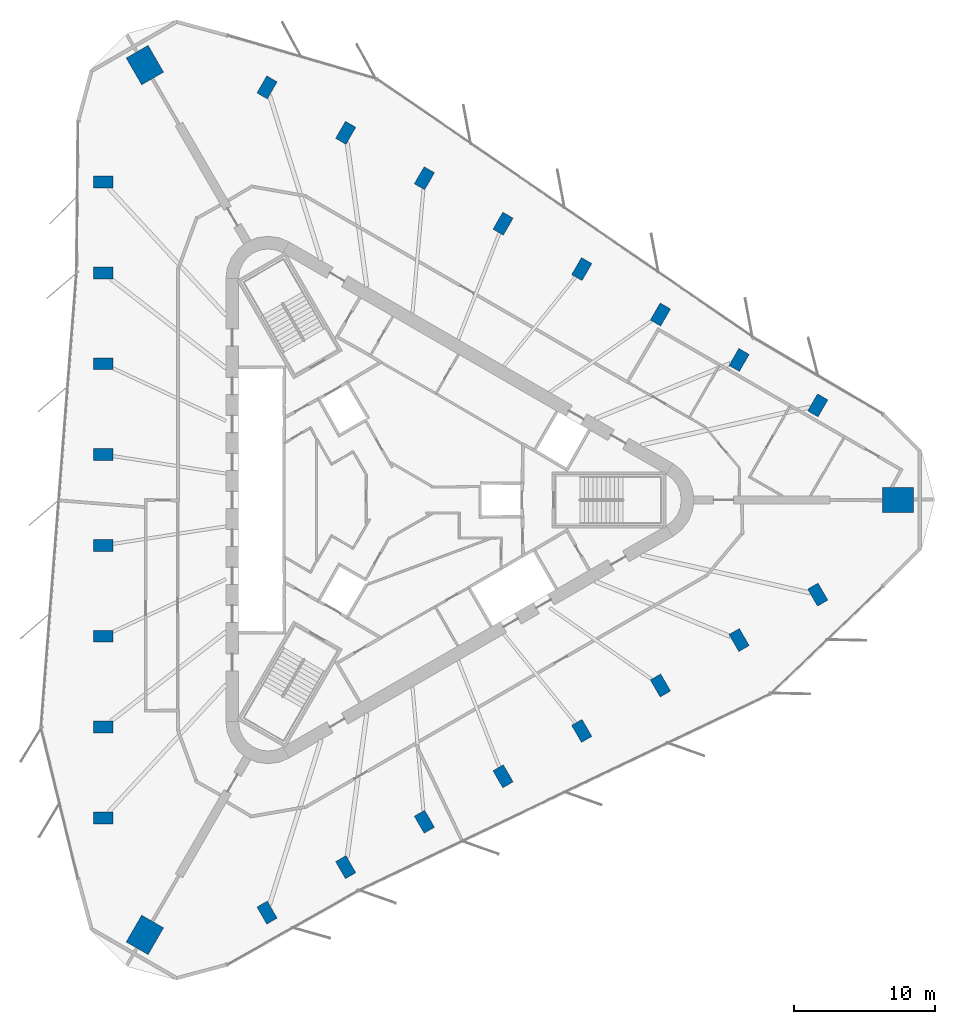
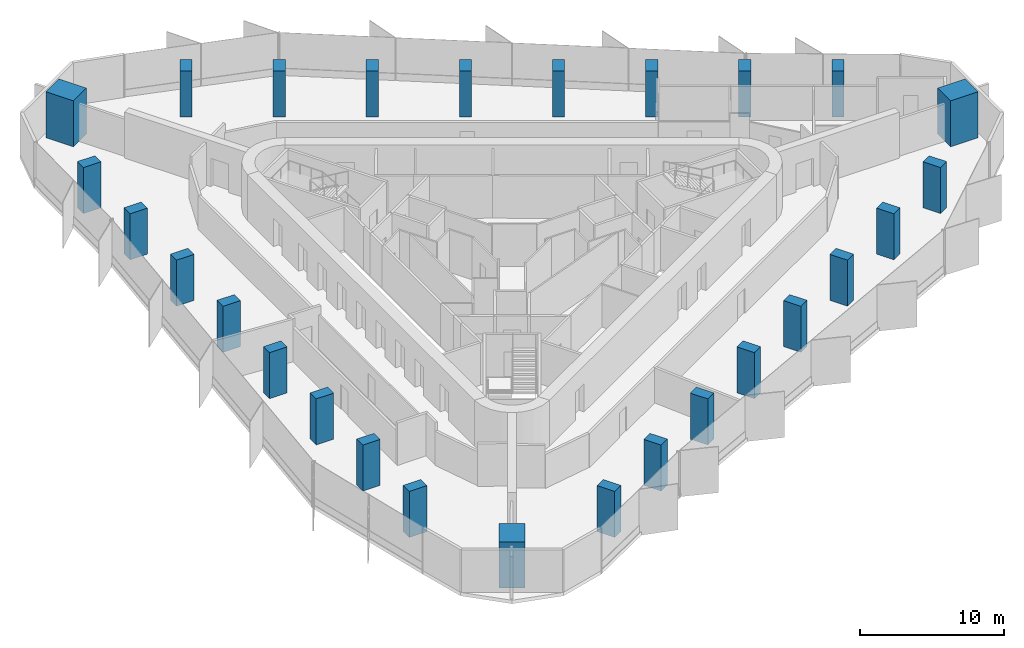
# One storey, part 1 of 14: 27 columns.
"""IFC4 building model written with IfcOpenShell, lengths in metres."""

from ifc_helpers import new_model, si_unit, direction, frame, origin, origin_2d, place, context, subcontext, project, spatial, rectangle, extrude, material, material_profile, profile_set, type_object, element, save


model = new_model("IFC4")

# Units and contexts
model_context = context("Model", 3, precision=1e-05, world=origin(), true_north=direction((0.0, 1.0)))
body_context = subcontext(model_context, "Body", "Model", "MODEL_VIEW")
ifc_project = project(units=[si_unit("LENGTHUNIT", "METRE"), si_unit("AREAUNIT", "SQUARE_METRE"), si_unit("VOLUMEUNIT", "CUBIC_METRE"), si_unit("PLANEANGLEUNIT", "RADIAN"), si_unit("MASSUNIT", "GRAM", prefix="KILO")], contexts=[model_context])

# Site, building, storey
site_placement = place(None, origin())
site = spatial("IfcSite", under=ifc_project, at=site_placement, CompositionType="ELEMENT")
building_placement = place(site_placement, origin())
building = spatial("IfcBuilding", under=site, at=building_placement, Name="Tanit Gate Tower", CompositionType="ELEMENT")
storey_placement = place(building_placement, frame((0.0, 0.0, 302.60009765625)))
storey = spatial("IfcBuildingStorey", under=building, at=storey_placement, Name="L67", CompositionType="ELEMENT", Elevation=302.60009765625)

# Columns
ifc_material_1 = material(Name="Concrete C50/60", Category="concrete")
ifc_material_profile_1 = material_profile(ifc_material_1, rectangle(XDim=2.199951171875, YDim=1.800048828125, at=origin_2d()), Name="RC 2200x1800")
ifc_profile_set_1 = profile_set([ifc_material_profile_1], Name="Concrete C50/60")
column_type_1 = type_object("IfcColumnType", Name="MEGA COLUMN 2200x1800 C50/60", PredefinedType="COLUMN", material=ifc_profile_set_1)
for number, where, z_axis, x_axis, name in (
    (1, (35.730712890625, 0.0, 0.0), (0.0, 0.0, 1.0), (1.0, 0.0, 0.0), "MEGA COLUMN"),
    (2, (-17.865478515625, 30.943603515625, 0.0), (0.0, 0.0, 1.0), (-0.5, 0.866025403784, 0.0), "MEGA COLUMN"),
    (3, (-17.865478515625, -30.943603515625, 0.0), (0.0, 0.0, 1.0), (-0.5, -0.866025403784, 0.0), "MEGA COLUMN"),
):
    element("IfcColumn", number, at=place(storey_placement, frame(where, z_axis=z_axis, x_axis=x_axis)), inside=storey, type_object=column_type_1, Name=name, PredefinedType="COLUMN", context=body_context, shape_type="SweptSolid", body=[
        extrude(rectangle(XDim=2.199951171875, YDim=1.800048828125, at=origin_2d()), origin(), (0.0, 0.0, 1.0), 3.89990234375),
    ])
ifc_material_2 = material(Name="Concrete C40/50", Category="concrete")
ifc_material_profile_2 = material_profile(ifc_material_2, rectangle(XDim=1.39990234375, YDim=0.85009765625, at=origin_2d()), Name="RC 1400x850")
ifc_profile_set_2 = profile_set([ifc_material_profile_2], Name="Concrete C40/50")
column_type_2 = type_object("IfcColumnType", Name="PERIMETER COLUMN 1400x850 C40/50", PredefinedType="COLUMN", material=ifc_profile_set_2)
for number, where, z_axis, x_axis, name in (
    (4, (-20.83544921875, 22.62353515625, 0.0), (0.0, 0.0, 1.0), (-1.0, 0.0, 0.0), "PERIMETER COLUMN"),
    (5, (-20.83544921875, 16.15966796875, 0.0), (0.0, 0.0, 1.0), (-1.0, 0.0, 0.0), "PERIMETER COLUMN"),
    (6, (-20.83544921875, 9.69580078125, 0.0), (0.0, 0.0, 1.0), (-1.0, 0.0, 0.0), "PERIMETER COLUMN"),
    (7, (-20.83544921875, 3.23193359375, 0.0), (0.0, 0.0, 1.0), (-1.0, 0.0, 0.0), "PERIMETER COLUMN"),
    (8, (-20.83544921875, -3.23193359375, 0.0), (0.0, 0.0, 1.0), (-1.0, 0.0, 0.0), "PERIMETER COLUMN"),
    (9, (-20.83544921875, -9.69580078125, 0.0), (0.0, 0.0, 1.0), (-1.0, 0.0, 0.0), "PERIMETER COLUMN"),
    (10, (-20.83544921875, -16.15966796875, 0.0), (0.0, 0.0, 1.0), (-1.0, 0.0, 0.0), "PERIMETER COLUMN"),
    (11, (-20.83544921875, -22.62353515625, 0.0), (0.0, 0.0, 1.0), (-1.0, 0.0, 0.0), "PERIMETER COLUMN"),
    (12, (30.010498046875, 6.732177734375, 0.0), (0.0, 0.0, 1.0), (0.5, 0.866025403784, 0.0), "PERIMETER COLUMN"),
    (13, (24.41259765625, 9.964111328125, 0.0), (0.0, 0.0, 1.0), (0.5, 0.866025403784, 0.0), "PERIMETER COLUMN"),
    (14, (18.814697265625, 13.196044921875, 0.0), (0.0, 0.0, 1.0), (0.5, 0.866025403784, 0.0), "PERIMETER COLUMN"),
    (15, (13.216796875, 16.427978515625, 0.0), (0.0, 0.0, 1.0), (0.5, 0.866025403784, 0.0), "PERIMETER COLUMN"),
    (16, (7.618896484375, 19.659912109375, 0.0), (0.0, 0.0, 1.0), (0.5, 0.866025403784, 0.0), "PERIMETER COLUMN"),
    (17, (2.02099609375, 22.89208984375, 0.0), (0.0, 0.0, 1.0), (0.5, 0.866025403784, 0.0), "PERIMETER COLUMN"),
    (18, (-3.576904296875, 26.123779296875, 0.0), (0.0, 0.0, 1.0), (0.5, 0.866025403784, 0.0), "PERIMETER COLUMN"),
    (19, (-9.1748046875, 29.35595703125, 0.0), (0.0, 0.0, 1.0), (0.5, 0.866025403784, 0.0), "PERIMETER COLUMN"),
    (20, (-9.1748046875, -29.35595703125, 0.0), (0.0, 0.0, 1.0), (0.5, -0.866025403784, 0.0), "PERIMETER COLUMN"),
    (21, (-3.576904296875, -26.123779296875, 0.0), (0.0, 0.0, 1.0), (0.5, -0.866025403784, 0.0), "PERIMETER COLUMN"),
    (22, (2.02099609375, -22.89208984375, 0.0), (0.0, 0.0, 1.0), (0.5, -0.866025403784, 0.0), "PERIMETER COLUMN"),
    (23, (7.618896484375, -19.659912109375, 0.0), (0.0, 0.0, 1.0), (0.5, -0.866025403784, 0.0), "PERIMETER COLUMN"),
    (24, (13.216796875, -16.427978515625, 0.0), (0.0, 0.0, 1.0), (0.5, -0.866025403784, 0.0), "PERIMETER COLUMN"),
    (25, (18.814697265625, -13.196044921875, 0.0), (0.0, 0.0, 1.0), (0.5, -0.866025403784, 0.0), "PERIMETER COLUMN"),
    (26, (24.41259765625, -9.964111328125, 0.0), (0.0, 0.0, 1.0), (0.5, -0.866025403784, 0.0), "PERIMETER COLUMN"),
    (27, (30.010498046875, -6.732177734375, 0.0), (0.0, 0.0, 1.0), (0.5, -0.866025403784, 0.0), "PERIMETER COLUMN"),
):
    element("IfcColumn", number, at=place(storey_placement, frame(where, z_axis=z_axis, x_axis=x_axis)), inside=storey, type_object=column_type_2, Name=name, PredefinedType="COLUMN", context=body_context, shape_type="SweptSolid", body=[
        extrude(rectangle(XDim=1.39990234375, YDim=0.85009765625, at=origin_2d()), origin(), (0.0, 0.0, 1.0), 3.89990234375),
    ])

save(model, "model.ifc")
